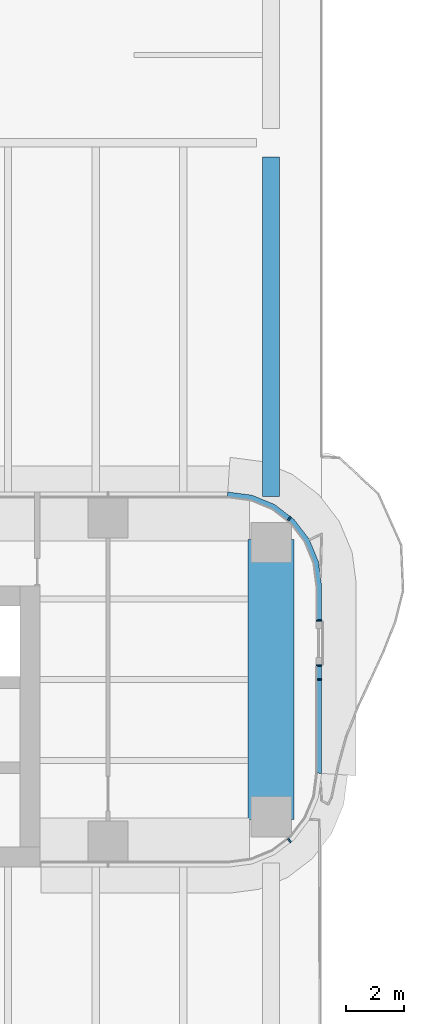
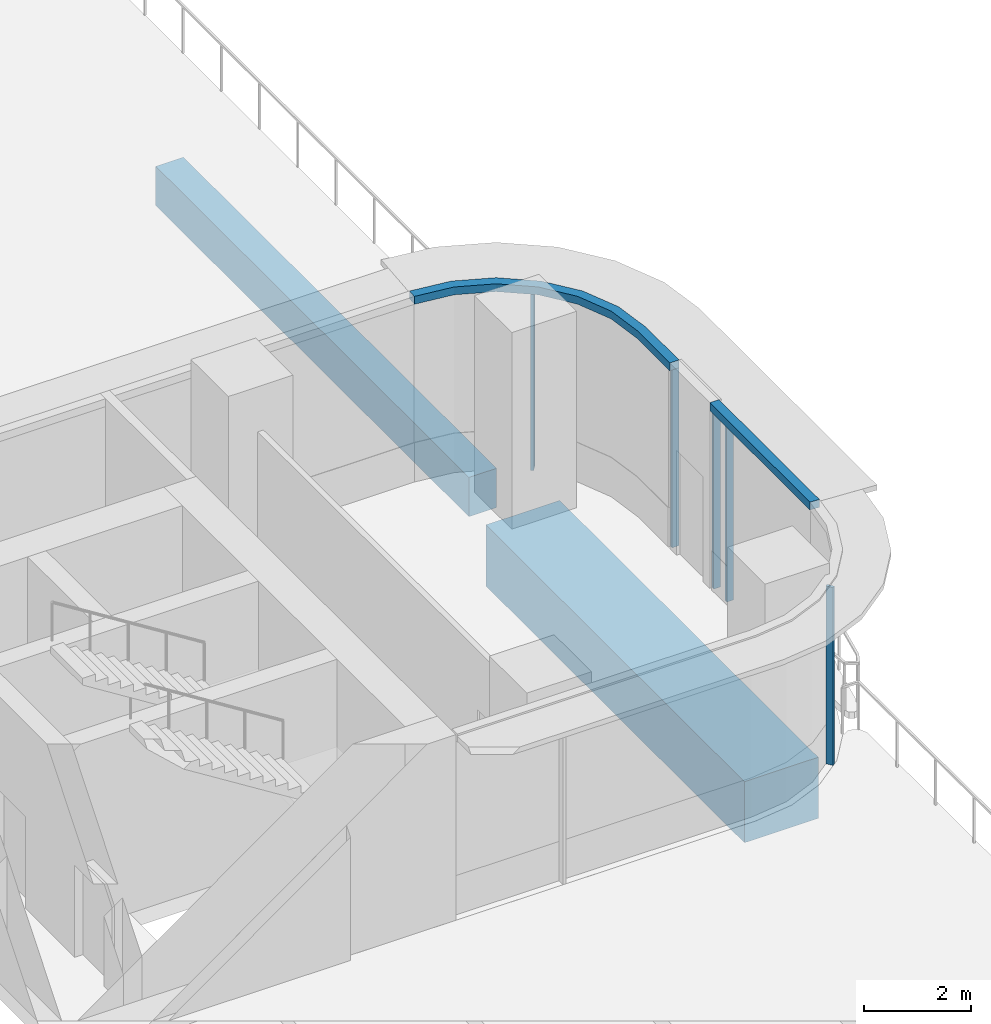
# One storey, part 17 of 29: 7 members, 2 beams, 3 elements without a shape of their own.
"""IFC4 building model written with IfcOpenShell, lengths in metres."""

from ifc_helpers import new_model, si_unit, direction, frame, origin, origin_2d, place, context, subcontext, project, spatial, polyline, rectangle, outline, extrude, source, transform, mapped, material, layer, layer_set, material_profile, profile_set, type_object, element, aggregate, save


model = new_model("IFC4")

# Units and contexts
model_context = context("Model", 3, precision=1e-05, world=origin(), true_north=direction((0.0, 1.0)))
body_context = subcontext(model_context, "Body", "Model", "MODEL_VIEW")
ifc_project = project(units=[si_unit("LENGTHUNIT", "METRE"), si_unit("AREAUNIT", "SQUARE_METRE"), si_unit("VOLUMEUNIT", "CUBIC_METRE"), si_unit("PLANEANGLEUNIT", "RADIAN"), si_unit("MASSUNIT", "GRAM", prefix="KILO")], contexts=[model_context])

# Site, building, storey
site_placement = place(None, origin())
site = spatial("IfcSite", under=ifc_project, at=site_placement, CompositionType="ELEMENT")
building_placement = place(site_placement, origin())
building = spatial("IfcBuilding", under=site, at=building_placement, Name="Trellis Farm Tower", CompositionType="ELEMENT")
storey_placement = place(building_placement, frame((0.0, 0.0, 34.0)))
storey = spatial("IfcBuildingStorey", under=building, at=storey_placement, Name="L06", CompositionType="ELEMENT", Elevation=34.0)

# Curtain wall, member
ifc_material_1 = material(Name="Aluminium and glass curtain wall", Category="aluminium")
ifc_layer_1 = layer(ifc_material_1, 0.18994140625)
ifc_layer_set_1 = layer_set([ifc_layer_1], Name="RIBBON CURTAIN WALL CW1")
curtain_wall_type = type_object("IfcCurtainWallType", Name="RIBBON CURTAIN WALL CW1", PredefinedType="NOTDEFINED", material=ifc_layer_set_1)
placement_1 = place(storey_placement, origin())
curtain_wall_1 = element("IfcCurtainWall", 1, at=placement_1, inside=storey, type_object=curtain_wall_type, Name="CW1 007", PredefinedType="NOTDEFINED")
ifc_material_2 = material(Name="Aluminium extrusion 6063-T6", Category="aluminium")
ifc_layer_2 = layer(ifc_material_2, 0.199951171875)
ifc_layer_set_2 = layer_set([ifc_layer_2], Name="Aluminium extrusion 6063-T6")
member_type_1 = type_object("IfcMemberType", Name="CW1 TRANSOM 200x180", PredefinedType="USERDEFINED", material=ifc_layer_set_2)
placement_2 = place(storey_placement, frame((0.0, 0.0, 4.070068359375)))
member_1 = element("IfcMember", 2, at=placement_2, type_object=member_type_1, Name="TR1 007", ObjectType="TRANSOM", PredefinedType="USERDEFINED", context=body_context, shape_type="SweptSolid", body=[
    extrude(outline(polyline([(32.5, -3.25), (32.5, 0.52001953125), (32.300048828125, 0.52001953125), (32.300048828125, -3.23681640625), (32.5, -3.25)])), origin(), (0.0, 0.0, 1.0), 0.179931640625),
])

curtain_wall_2 = element("IfcCurtainWall", 3, at=placement_1, inside=storey, type_object=curtain_wall_type, Name="CW1 008", PredefinedType="NOTDEFINED")
member_2 = element("IfcMember", 4, at=placement_2, type_object=member_type_1, Name="TR1 008", ObjectType="TRANSOM", PredefinedType="USERDEFINED", context=body_context, shape_type="SweptSolid", body=[
    extrude(outline(polyline([(32.5, 2.02001953125), (32.5, 3.25), (32.38916015625, 4.091064453125), (32.064697265625, 4.875), (31.548095703125, 5.548095703125), (30.875, 6.064697265625), (30.091064453125, 6.38916015625), (29.25, 6.5), (29.23681640625, 6.300048828125), (30.0390625, 6.1943359375), (30.774169921875, 5.889892578125), (31.405517578125, 5.405517578125), (31.889892578125, 4.774169921875), (32.1943359375, 4.0390625), (32.300048828125, 3.23681640625), (32.300048828125, 2.02001953125), (32.5, 2.02001953125)])), origin(), (0.0, 0.0, 1.0), 0.179931640625),
])

# Beams
ifc_material_3 = material(Name="Concrete C60/75", Category="concrete")
ifc_material_profile_1 = material_profile(ifc_material_3, rectangle(XDim=0.60009765625, YDim=0.89990234375, at=origin_2d()), Name="RC spandrel beam 600x900 C60/75")
ifc_profile_set_1 = profile_set([ifc_material_profile_1], Name="Concrete C60/75")
beam_type_1 = type_object("IfcBeamType", Name="RC spandrel beam 600x900 C60/75", PredefinedType="SPANDREL", material=ifc_profile_set_1)
shared_shape_1 = source(origin(), body_context, "Body", "SweptSolid", [
    extrude(rectangle(XDim=0.60009765625, YDim=0.89990234375, at=origin_2d()), origin(), (0.0, 0.0, 1.0), 11.75),
])
beam_1_placement = place(storey_placement, frame((30.75, 6.35009765625, -0.800048828125), z_axis=(0.0, 1.0, 0.0), x_axis=(-1.0, 0.0, 0.0)))
element("IfcBeam", 5, at=beam_1_placement, inside=storey, type_object=beam_type_1, Name="Girder", PredefinedType="SPANDREL", context=body_context, shape_type="MappedRepresentation", body=[
    mapped(shared_shape_1, transform((0.0, 0.0, 0.0))),
])
ifc_material_4 = material(Name="Concrete C80/95", Category="concrete")
ifc_material_profile_2 = material_profile(ifc_material_4, rectangle(XDim=1.60009765625, YDim=1.39990234375, at=origin_2d()), Name="RC transfer beam 1600x1400 C80/95")
ifc_profile_set_2 = profile_set([ifc_material_profile_2], Name="Concrete C80/95")
beam_type_2 = type_object("IfcBeamType", Name="RC transfer beam 1600x1400 C80/95", PredefinedType="BEAM", material=ifc_profile_set_2)
shared_shape_2 = source(origin(), body_context, "Body", "SweptSolid", [
    extrude(rectangle(XDim=1.60009765625, YDim=1.39990234375, at=origin_2d()), origin(), (0.0, 0.0, 1.0), 9.7001953125),
])
beam_2_placement = place(storey_placement, frame((30.75, -4.85009765625, -1.050048828125), z_axis=(0.0, 1.0, 0.0), x_axis=(-1.0, 0.0, 0.0)))
element("IfcBeam", 6, at=beam_2_placement, inside=storey, type_object=beam_type_2, Name="Transfer girder", PredefinedType="BEAM", context=body_context, shape_type="MappedRepresentation", body=[
    mapped(shared_shape_2, transform((0.0, 0.0, 0.0))),
])

# Curtain wall, member
curtain_wall_3 = element("IfcCurtainWall", 7, at=placement_1, inside=storey, type_object=curtain_wall_type, Name="CW1 006", PredefinedType="NOTDEFINED")
ifc_material_profile_3 = material_profile(ifc_material_2, rectangle(XDim=0.06005859375, YDim=0.14990234375, at=origin_2d()), Name="MULLION 60x150")
ifc_profile_set_3 = profile_set([ifc_material_profile_3], Name="Aluminium extrusion 6063-T6")
member_type_2 = type_object("IfcMemberType", Name="CW1 MULLION 60x150", PredefinedType="MULLION", material=ifc_profile_set_3)
shared_shape_3 = source(origin(), body_context, "Body", "SweptSolid", [
    extrude(rectangle(XDim=0.06005859375, YDim=0.14990234375, at=origin_2d()), origin(), (0.0, 0.0, 1.0), 4.070068359375),
])
member_3_placement = place(storey_placement, frame((31.385498046875, -5.578369140625, 0.0), z_axis=(0.0, 0.0, 1.0), x_axis=(0.793353340291, 0.608761429009, 0.0)))
member_3 = element("IfcMember", 8, at=member_3_placement, type_object=member_type_2, Name="MU1 006-02", PredefinedType="MULLION", context=body_context, shape_type="MappedRepresentation", body=[
    mapped(shared_shape_3, transform((0.0, 0.0, 0.0))),
])
aggregate(curtain_wall_3, [member_3])

# Member
member_4_placement = place(storey_placement, frame((32.425048828125, 0.0, 0.0), z_axis=(0.0, 0.0, 1.0), x_axis=(0.0, 1.0, 0.0)))
member_4 = element("IfcMember", 9, at=member_4_placement, type_object=member_type_2, Name="MU1 007-01", PredefinedType="MULLION", context=body_context, shape_type="MappedRepresentation", body=[
    mapped(shared_shape_3, transform((0.0, 0.0, 0.0))),
])

member_5_placement = place(storey_placement, frame((32.425048828125, 0.489990234375, 0.0), z_axis=(0.0, 0.0, 1.0), x_axis=(0.0, 1.0, 0.0)))
member_5 = element("IfcMember", 10, at=member_5_placement, type_object=member_type_2, Name="MU1 007-02", PredefinedType="MULLION", context=body_context, shape_type="MappedRepresentation", body=[
    mapped(shared_shape_3, transform((0.0, 0.0, 0.0))),
])

aggregate(curtain_wall_1, [member_4, member_5, member_1])

member_6_placement = place(storey_placement, frame((32.425048828125, 2.050048828125, 0.0), z_axis=(0.0, 0.0, 1.0), x_axis=(0.0, 1.0, 0.0)))
member_6 = element("IfcMember", 11, at=member_6_placement, type_object=member_type_2, Name="MU1 008-01", PredefinedType="MULLION", context=body_context, shape_type="MappedRepresentation", body=[
    mapped(shared_shape_3, transform((0.0, 0.0, 0.0))),
])

member_7_placement = place(storey_placement, frame((31.385498046875, 5.578369140625, 0.0), z_axis=(0.0, 0.0, 1.0), x_axis=(-0.793353340291, 0.608761429009, 0.0)))
member_7 = element("IfcMember", 12, at=member_7_placement, type_object=member_type_2, Name="MU1 008-02", PredefinedType="MULLION", context=body_context, shape_type="MappedRepresentation", body=[
    mapped(shared_shape_3, transform((0.0, 0.0, 0.0))),
])

aggregate(curtain_wall_2, [member_6, member_7, member_2])

save(model, "model.ifc")
